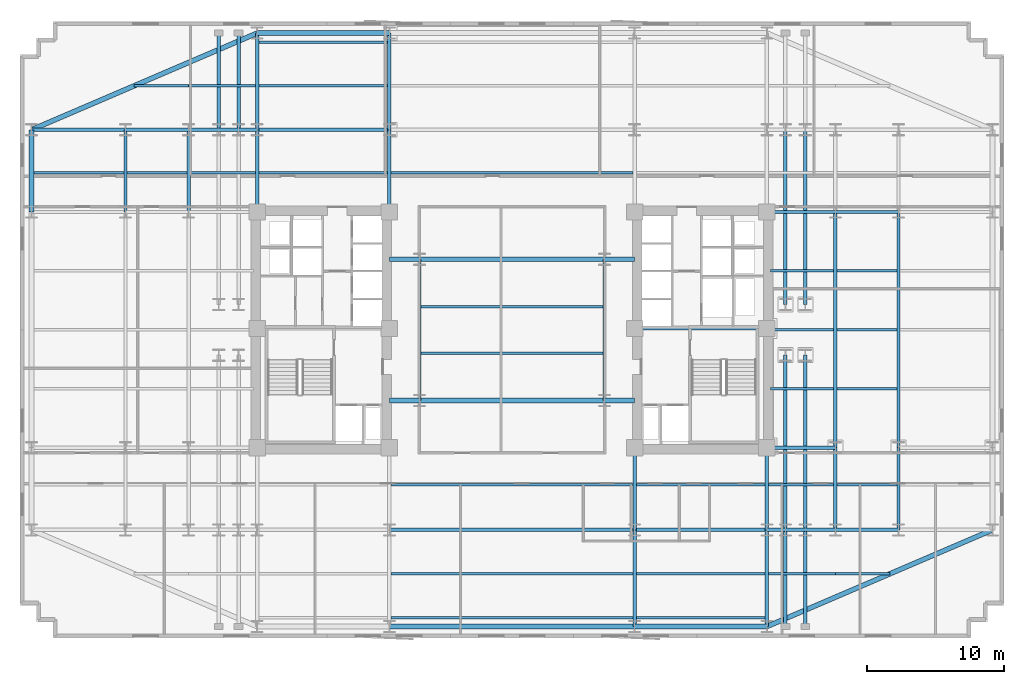
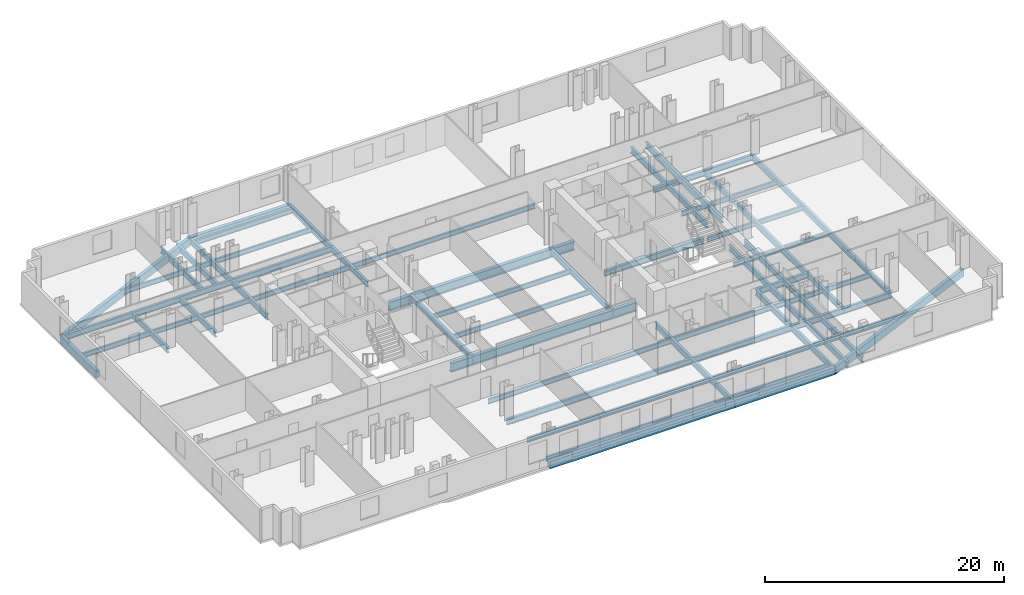
# One storey, part 2 of 10: 75 beams.
"""IFC4 building model written with IfcOpenShell, lengths in metres."""

from ifc_helpers import new_model, si_unit, direction, frame, origin, origin_2d, place, context, subcontext, project, spatial, rectangle, i_section, extrude, material, material_profile, profile_set, type_object, element, save


model = new_model("IFC4")

# Units and contexts
model_context = context("Model", 3, precision=1e-05, world=origin(), true_north=direction((0.0, 1.0)))
body_context = subcontext(model_context, "Body", "Model", "MODEL_VIEW")
ifc_project = project(units=[si_unit("LENGTHUNIT", "METRE"), si_unit("AREAUNIT", "SQUARE_METRE"), si_unit("VOLUMEUNIT", "CUBIC_METRE"), si_unit("PLANEANGLEUNIT", "RADIAN"), si_unit("MASSUNIT", "GRAM", prefix="KILO")], contexts=[model_context])

# Site, building, storey
site_placement = place(None, origin())
site = spatial("IfcSite", under=ifc_project, at=site_placement, CompositionType="ELEMENT")
building_placement = place(site_placement, origin())
building = spatial("IfcBuilding", under=site, at=building_placement, Name="Velakula Bourse", CompositionType="ELEMENT")
storey_placement = place(building_placement, frame((0.0, 0.0, 41.550048828125)))
storey = spatial("IfcBuildingStorey", under=building, at=storey_placement, Name="L10", CompositionType="ELEMENT", Elevation=41.550048828125)

# Beams
ifc_material_1 = material(Name="Steel IS 2062 Grade 350 (E350)", Category="steel")
ifc_material_profile_1 = material_profile(ifc_material_1, i_section(OverallWidth=0.25, OverallDepth=0.60009765625, WebThickness=0.01171875, FlangeThickness=0.023681640625, at=origin_2d()), Name="Steel IS 2062 Grade 350 (E350)")
ifc_profile_set_1 = profile_set([ifc_material_profile_1], Name="Steel IS 2062 Grade 350 (E350)")
beam_type_1 = type_object("IfcBeamType", Name="BM-GRD-600H", PredefinedType="BEAM", material=ifc_profile_set_1)
beam_1_placement = place(storey_placement, frame((8.949951171875, 0.10009765625, -0.47998046875), z_axis=(1.0, 0.0, 0.0), x_axis=(0.0, 1.0, 0.0)))
element("IfcBeam", 1, at=beam_1_placement, inside=storey, type_object=beam_type_1, Name="L10 Primary Backbone Girder CRE-M", PredefinedType="BEAM", context=body_context, shape_type="SweptSolid", body=[
    extrude(i_section(OverallWidth=0.25, OverallDepth=0.60009765625, WebThickness=0.01171875, FlangeThickness=0.023681640625, at=origin_2d()), origin(), (0.0, 0.0, 1.0), 9.650146484375),
])
for number, where, z_axis, x_axis, name in (
    (2, (-6.75, -5.14990234375, -0.47998046875), (0.0, 1.0, 0.0), (-1.0, 0.0, 0.0), "L10 Primary Backbone Girder SPN-W"),
    (3, (6.75, -5.14990234375, -0.47998046875), (0.0, 1.0, 0.0), (-1.0, 0.0, 0.0), "L10 Primary Backbone Girder SPN-E"),
):
    element("IfcBeam", number, at=place(storey_placement, frame(where, z_axis=z_axis, x_axis=x_axis)), inside=storey, type_object=beam_type_1, Name=name, PredefinedType="BEAM", context=body_context, shape_type="SweptSolid", body=[
        extrude(i_section(OverallWidth=0.25, OverallDepth=0.60009765625, WebThickness=0.01171875, FlangeThickness=0.023681640625, at=origin_2d()), origin(), (0.0, 0.0, 1.0), 10.2998046875),
    ])
for number, where, z_axis, x_axis, name in (
    (4, (-18.60009765625, 8.60009765625, -0.47998046875), (0.0, 1.0, 0.0), (-1.0, 0.0, 0.0), "L10 Fulcrum Grid Girder FLC-WN"),
    (5, (-8.949951171875, 8.60009765625, -0.47998046875), (0.0, 1.0, 0.0), (-1.0, 0.0, 0.0), "L10 Fulcrum Grid Girder FLC-WCN"),
    (6, (8.949951171875, -14.60009765625, -0.47998046875), (0.0, 1.0, 0.0), (-1.0, 0.0, 0.0), "L10 Fulcrum Grid Girder FLC-ECS"),
    (7, (18.60009765625, -14.60009765625, -0.47998046875), (0.0, 1.0, 0.0), (-1.0, 0.0, 0.0), "L10 Fulcrum Grid Girder FLC-ES"),
):
    element("IfcBeam", number, at=place(storey_placement, frame(where, z_axis=z_axis, x_axis=x_axis)), inside=storey, type_object=beam_type_1, Name=name, PredefinedType="BEAM", context=body_context, shape_type="SweptSolid", body=[
        extrude(i_section(OverallWidth=0.25, OverallDepth=0.60009765625, WebThickness=0.01171875, FlangeThickness=0.023681640625, at=origin_2d()), origin(), (0.0, 0.0, 1.0), 6.0),
    ])
beam_2_placement = place(storey_placement, frame((-8.949951171875, -14.60009765625, -0.47998046875), z_axis=(1.0, 0.0, 0.0), x_axis=(0.0, 1.0, 0.0)))
element("IfcBeam", 8, at=beam_2_placement, inside=storey, type_object=beam_type_1, Name="L10 Fulcrum Grid Girder FLC-S2", PredefinedType="BEAM", context=body_context, shape_type="SweptSolid", body=[
    extrude(i_section(OverallWidth=0.25, OverallDepth=0.60009765625, WebThickness=0.01171875, FlangeThickness=0.023681640625, at=origin_2d()), origin(), (0.0, 0.0, 1.0), 17.89990234375),
])
for number, where, z_axis, x_axis, name in (
    (9, (8.949951171875, -14.60009765625, -0.47998046875), (1.0, 0.0, 0.0), (0.0, 1.0, 0.0), "L10 Fulcrum Grid Girder FLC-S3"),
    (10, (-18.60009765625, 14.60009765625, -0.47998046875), (1.0, 0.0, 0.0), (0.0, 1.0, 0.0), "L10 Fulcrum Grid Girder FLC-N1"),
):
    element("IfcBeam", number, at=place(storey_placement, frame(where, z_axis=z_axis, x_axis=x_axis)), inside=storey, type_object=beam_type_1, Name=name, PredefinedType="BEAM", context=body_context, shape_type="SweptSolid", body=[
        extrude(i_section(OverallWidth=0.25, OverallDepth=0.60009765625, WebThickness=0.01171875, FlangeThickness=0.023681640625, at=origin_2d()), origin(), (0.0, 0.0, 1.0), 9.650146484375),
    ])
for number, where, z_axis, x_axis, name in (
    (11, (19.949951171875, -14.60009765625, -0.47998046875), (0.0, 1.0, 0.0), (-1.0, 0.0, 0.0), "L10 Fulcrum Grid Girder FLC-PSE1"),
    (12, (19.949951171875, 1.85009765625, -0.47998046875), (0.0, 1.0, 0.0), (-1.0, 0.0, 0.0), "L10 Fulcrum Grid Girder FLC-PNE1"),
    (13, (21.39990234375, -14.60009765625, -0.47998046875), (0.0, 1.0, 0.0), (-1.0, 0.0, 0.0), "L10 Fulcrum Grid Girder FLC-PSE2"),
    (14, (21.39990234375, 1.85009765625, -0.47998046875), (0.0, 1.0, 0.0), (-1.0, 0.0, 0.0), "L10 Fulcrum Grid Girder FLC-PNE2"),
):
    element("IfcBeam", number, at=place(storey_placement, frame(where, z_axis=z_axis, x_axis=x_axis)), inside=storey, type_object=beam_type_1, Name=name, PredefinedType="BEAM", context=body_context, shape_type="SweptSolid", body=[
        extrude(i_section(OverallWidth=0.25, OverallDepth=0.60009765625, WebThickness=0.01171875, FlangeThickness=0.023681640625, at=origin_2d()), origin(), (0.0, 0.0, 1.0), 12.75),
    ])
beam_3_placement = place(storey_placement, frame((-23.60009765625, 14.60009765625, -0.47998046875), z_axis=(1.0, 0.0, 0.0), x_axis=(0.0, 1.0, 0.0)))
element("IfcBeam", 15, at=beam_3_placement, inside=storey, type_object=beam_type_1, Name="L10 Fulcrum Grid Girder MWG-WN2", PredefinedType="BEAM", context=body_context, shape_type="SweptSolid", body=[
    extrude(i_section(OverallWidth=0.25, OverallDepth=0.60009765625, WebThickness=0.01171875, FlangeThickness=0.023681640625, at=origin_2d()), origin(), (0.0, 0.0, 1.0), 5.0),
])
beam_4_placement = place(storey_placement, frame((-23.60009765625, 8.60009765625, -0.47998046875), z_axis=(0.0, 1.0, 0.0), x_axis=(-1.0, 0.0, 0.0)))
element("IfcBeam", 16, at=beam_4_placement, inside=storey, type_object=beam_type_1, Name="L10 Fulcrum Grid Girder MWG-WNS3", PredefinedType="BEAM", context=body_context, shape_type="SweptSolid", body=[
    extrude(i_section(OverallWidth=0.25, OverallDepth=0.60009765625, WebThickness=0.01171875, FlangeThickness=0.023681640625, at=origin_2d()), origin(), (0.0, 0.0, 1.0), 6.0),
])
for number, where, z_axis, x_axis, name in (
    (17, (18.60009765625, -14.60009765625, -0.47998046875), (1.0, 0.0, 0.0), (0.0, 1.0, 0.0), "L10 Fulcrum Grid Girder MWG-ES1"),
    (18, (18.60009765625, -8.60009765625, -0.47998046875), (1.0, 0.0, 0.0), (0.0, 1.0, 0.0), "L10 Fulcrum Grid Girder MWG-ES2"),
    (19, (18.60009765625, 8.60009765625, -0.47998046875), (1.0, 0.0, 0.0), (0.0, 1.0, 0.0), "L10 Fulcrum Grid Girder MWG-EN1"),
):
    element("IfcBeam", number, at=place(storey_placement, frame(where, z_axis=z_axis, x_axis=x_axis)), inside=storey, type_object=beam_type_1, Name=name, PredefinedType="BEAM", context=body_context, shape_type="SweptSolid", body=[
        extrude(i_section(OverallWidth=0.25, OverallDepth=0.60009765625, WebThickness=0.01171875, FlangeThickness=0.023681640625, at=origin_2d()), origin(), (0.0, 0.0, 1.0), 5.0),
    ])
beam_5_placement = place(storey_placement, frame((23.60009765625, -14.60009765625, -0.47998046875), z_axis=(0.0, 1.0, 0.0), x_axis=(-1.0, 0.0, 0.0)))
element("IfcBeam", 20, at=beam_5_placement, inside=storey, type_object=beam_type_1, Name="L10 Fulcrum Grid Girder MWG-ENS1", PredefinedType="BEAM", context=body_context, shape_type="SweptSolid", body=[
    extrude(i_section(OverallWidth=0.25, OverallDepth=0.60009765625, WebThickness=0.01171875, FlangeThickness=0.023681640625, at=origin_2d()), origin(), (0.0, 0.0, 1.0), 6.0),
])
beam_6_placement = place(storey_placement, frame((23.60009765625, -8.60009765625, -0.47998046875), z_axis=(0.0, 1.0, 0.0), x_axis=(-1.0, 0.0, 0.0)))
element("IfcBeam", 21, at=beam_6_placement, inside=storey, type_object=beam_type_1, Name="L10 Fulcrum Grid Girder MWG-ENS2", PredefinedType="BEAM", context=body_context, shape_type="SweptSolid", body=[
    extrude(i_section(OverallWidth=0.25, OverallDepth=0.60009765625, WebThickness=0.01171875, FlangeThickness=0.023681640625, at=origin_2d()), origin(), (0.0, 0.0, 1.0), 17.2001953125),
])
beam_7_placement = place(storey_placement, frame((-28.199951171875, 14.60009765625, -0.47998046875), z_axis=(1.0, 0.0, 0.0), x_axis=(0.0, 1.0, 0.0)))
element("IfcBeam", 22, at=beam_7_placement, inside=storey, type_object=beam_type_1, Name="L10 Fulcrum Grid Girder WNG-WN2", PredefinedType="BEAM", context=body_context, shape_type="SweptSolid", body=[
    extrude(i_section(OverallWidth=0.25, OverallDepth=0.60009765625, WebThickness=0.01171875, FlangeThickness=0.023681640625, at=origin_2d()), origin(), (0.0, 0.0, 1.0), 4.599853515625),
])
beam_8_placement = place(storey_placement, frame((-28.199951171875, 8.60009765625, -0.47998046875), z_axis=(0.0, 1.0, 0.0), x_axis=(-1.0, 0.0, 0.0)))
element("IfcBeam", 23, at=beam_8_placement, inside=storey, type_object=beam_type_1, Name="L10 Fulcrum Grid Girder WNG-WNS3", PredefinedType="BEAM", context=body_context, shape_type="SweptSolid", body=[
    extrude(i_section(OverallWidth=0.25, OverallDepth=0.60009765625, WebThickness=0.01171875, FlangeThickness=0.023681640625, at=origin_2d()), origin(), (0.0, 0.0, 1.0), 6.0),
])
for number, where, z_axis, x_axis, name in (
    (24, (23.60009765625, -14.60009765625, -0.47998046875), (1.0, 0.0, 0.0), (0.0, 1.0, 0.0), "L10 Fulcrum Grid Girder WNG-ES1"),
    (25, (23.60009765625, 8.60009765625, -0.47998046875), (1.0, 0.0, 0.0), (0.0, 1.0, 0.0), "L10 Fulcrum Grid Girder WNG-EN1"),
):
    element("IfcBeam", number, at=place(storey_placement, frame(where, z_axis=z_axis, x_axis=x_axis)), inside=storey, type_object=beam_type_1, Name=name, PredefinedType="BEAM", context=body_context, shape_type="SweptSolid", body=[
        extrude(i_section(OverallWidth=0.25, OverallDepth=0.60009765625, WebThickness=0.01171875, FlangeThickness=0.023681640625, at=origin_2d()), origin(), (0.0, 0.0, 1.0), 4.599853515625),
    ])
beam_9_placement = place(storey_placement, frame((28.199951171875, -14.60009765625, -0.47998046875), z_axis=(0.0, 1.0, 0.0), x_axis=(-1.0, 0.0, 0.0)))
element("IfcBeam", 26, at=beam_9_placement, inside=storey, type_object=beam_type_1, Name="L10 Fulcrum Grid Girder WNG-ENS1", PredefinedType="BEAM", context=body_context, shape_type="SweptSolid", body=[
    extrude(i_section(OverallWidth=0.25, OverallDepth=0.60009765625, WebThickness=0.01171875, FlangeThickness=0.023681640625, at=origin_2d()), origin(), (0.0, 0.0, 1.0), 6.0),
])
beam_10_placement = place(storey_placement, frame((28.199951171875, -8.60009765625, -0.47998046875), z_axis=(0.0, 1.0, 0.0), x_axis=(-1.0, 0.0, 0.0)))
element("IfcBeam", 27, at=beam_10_placement, inside=storey, type_object=beam_type_1, Name="L10 Fulcrum Grid Girder WNG-ENS2", PredefinedType="BEAM", context=body_context, shape_type="SweptSolid", body=[
    extrude(i_section(OverallWidth=0.25, OverallDepth=0.60009765625, WebThickness=0.01171875, FlangeThickness=0.023681640625, at=origin_2d()), origin(), (0.0, 0.0, 1.0), 17.2001953125),
])
for number, where, z_axis, x_axis, name in (
    (28, (8.949951171875, -14.60009765625, -0.47998046875), (0.0, -1.0, 0.0), (1.0, 0.0, 0.0), "L10 Perimeter Tie Girder S3"),
    (29, (18.60009765625, -14.60009765625, -0.47998046875), (0.0, -1.0, 0.0), (1.0, 0.0, 0.0), "L10 Perimeter Tie Girder S4"),
    (30, (-18.60009765625, 14.60009765625, -0.47998046875), (0.0, 1.0, 0.0), (-1.0, 0.0, 0.0), "L10 Perimeter Tie Girder N1"),
    (31, (-8.949951171875, 14.60009765625, -0.47998046875), (0.0, 1.0, 0.0), (-1.0, 0.0, 0.0), "L10 Perimeter Tie Girder N2"),
):
    element("IfcBeam", number, at=place(storey_placement, frame(where, z_axis=z_axis, x_axis=x_axis)), inside=storey, type_object=beam_type_1, Name=name, PredefinedType="BEAM", context=body_context, shape_type="SweptSolid", body=[
        extrude(i_section(OverallWidth=0.25, OverallDepth=0.60009765625, WebThickness=0.01171875, FlangeThickness=0.023681640625, at=origin_2d()), origin(), (0.0, 0.0, 1.0), 7.0498046875),
    ])
beam_11_placement = place(storey_placement, frame((-28.199951171875, 14.60009765625, -0.47998046875), z_axis=(-1.0, 0.0, 0.0), x_axis=(0.0, -1.0, 0.0)))
element("IfcBeam", 32, at=beam_11_placement, inside=storey, type_object=beam_type_1, Name="L10 Perimeter Tie Girder W4", PredefinedType="BEAM", context=body_context, shape_type="SweptSolid", body=[
    extrude(i_section(OverallWidth=0.25, OverallDepth=0.60009765625, WebThickness=0.01171875, FlangeThickness=0.023681640625, at=origin_2d()), origin(), (0.0, 0.0, 1.0), 6.85009765625),
])
for number, where, z_axis, x_axis, name in (
    (33, (19.949951171875, -14.60009765625, -0.47998046875), (0.0, -1.0, 0.0), (1.0, 0.0, 0.0), "L10 Perimeter Tie Girder P03"),
    (34, (21.39990234375, -14.60009765625, -0.47998046875), (0.0, -1.0, 0.0), (1.0, 0.0, 0.0), "L10 Perimeter Tie Girder P04"),
    (35, (-21.39990234375, 14.60009765625, -0.47998046875), (0.0, 1.0, 0.0), (-1.0, 0.0, 0.0), "L10 Perimeter Tie Girder P05"),
    (36, (-19.949951171875, 14.60009765625, -0.47998046875), (0.0, 1.0, 0.0), (-1.0, 0.0, 0.0), "L10 Perimeter Tie Girder P06"),
):
    element("IfcBeam", number, at=place(storey_placement, frame(where, z_axis=z_axis, x_axis=x_axis)), inside=storey, type_object=beam_type_1, Name=name, PredefinedType="BEAM", context=body_context, shape_type="SweptSolid", body=[
        extrude(i_section(OverallWidth=0.25, OverallDepth=0.60009765625, WebThickness=0.01171875, FlangeThickness=0.023681640625, at=origin_2d()), origin(), (0.0, 0.0, 1.0), 7.0498046875),
    ])
ifc_material_profile_2 = material_profile(ifc_material_1, i_section(OverallWidth=0.35009765625, OverallDepth=0.89990234375, WebThickness=0.02001953125, FlangeThickness=0.031982421875, at=origin_2d()), Name="Steel IS 2062 Grade 350 (E350)")
ifc_profile_set_2 = profile_set([ifc_material_profile_2], Name="Steel IS 2062 Grade 350 (E350)")
beam_type_2 = type_object("IfcBeamType", Name="BM-LNK-900", PredefinedType="BEAM", material=ifc_profile_set_2)
beam_12_placement = place(storey_placement, frame((-8.949951171875, -5.14990234375, -0.630126953125), z_axis=(1.0, 0.0, 0.0), x_axis=(0.0, 1.0, 0.0)))
element("IfcBeam", 37, at=beam_12_placement, inside=storey, type_object=beam_type_2, Name="L10 Primary Backbone Girder LNK-S1", PredefinedType="BEAM", context=body_context, shape_type="SweptSolid", body=[
    extrude(i_section(OverallWidth=0.35009765625, OverallDepth=0.89990234375, WebThickness=0.02001953125, FlangeThickness=0.031982421875, at=origin_2d()), origin(), (0.0, 0.0, 1.0), 2.199951171875),
])
beam_13_placement = place(storey_placement, frame((-6.75, -5.14990234375, -0.630126953125), z_axis=(1.0, 0.0, 0.0), x_axis=(0.0, 1.0, 0.0)))
element("IfcBeam", 38, at=beam_13_placement, inside=storey, type_object=beam_type_2, Name="L10 Primary Backbone Girder LNK-S2", PredefinedType="BEAM", context=body_context, shape_type="SweptSolid", body=[
    extrude(i_section(OverallWidth=0.35009765625, OverallDepth=0.89990234375, WebThickness=0.02001953125, FlangeThickness=0.031982421875, at=origin_2d()), origin(), (0.0, 0.0, 1.0), 13.5),
])
for number, where, z_axis, x_axis, name in (
    (39, (6.75, -5.14990234375, -0.630126953125), (1.0, 0.0, 0.0), (0.0, 1.0, 0.0), "L10 Primary Backbone Girder LNK-S3"),
    (40, (-8.949951171875, 5.14990234375, -0.630126953125), (1.0, 0.0, 0.0), (0.0, 1.0, 0.0), "L10 Primary Backbone Girder LNK-N1"),
):
    element("IfcBeam", number, at=place(storey_placement, frame(where, z_axis=z_axis, x_axis=x_axis)), inside=storey, type_object=beam_type_2, Name=name, PredefinedType="BEAM", context=body_context, shape_type="SweptSolid", body=[
        extrude(i_section(OverallWidth=0.35009765625, OverallDepth=0.89990234375, WebThickness=0.02001953125, FlangeThickness=0.031982421875, at=origin_2d()), origin(), (0.0, 0.0, 1.0), 2.199951171875),
    ])
beam_14_placement = place(storey_placement, frame((-6.75, 5.14990234375, -0.630126953125), z_axis=(1.0, 0.0, 0.0), x_axis=(0.0, 1.0, 0.0)))
element("IfcBeam", 41, at=beam_14_placement, inside=storey, type_object=beam_type_2, Name="L10 Primary Backbone Girder LNK-N2", PredefinedType="BEAM", context=body_context, shape_type="SweptSolid", body=[
    extrude(i_section(OverallWidth=0.35009765625, OverallDepth=0.89990234375, WebThickness=0.02001953125, FlangeThickness=0.031982421875, at=origin_2d()), origin(), (0.0, 0.0, 1.0), 13.5),
])
beam_15_placement = place(storey_placement, frame((6.75, 5.14990234375, -0.630126953125), z_axis=(1.0, 0.0, 0.0), x_axis=(0.0, 1.0, 0.0)))
element("IfcBeam", 42, at=beam_15_placement, inside=storey, type_object=beam_type_2, Name="L10 Primary Backbone Girder LNK-N3", PredefinedType="BEAM", context=body_context, shape_type="SweptSolid", body=[
    extrude(i_section(OverallWidth=0.35009765625, OverallDepth=0.89990234375, WebThickness=0.02001953125, FlangeThickness=0.031982421875, at=origin_2d()), origin(), (0.0, 0.0, 1.0), 2.199951171875),
])
ifc_material_profile_3 = material_profile(ifc_material_1, i_section(OverallWidth=0.179931640625, OverallDepth=0.5, WebThickness=0.01025390625, FlangeThickness=0.01708984375, at=origin_2d()), Name="Steel IS 2062 Grade 350 (E350)")
ifc_profile_set_3 = profile_set([ifc_material_profile_3], Name="Steel IS 2062 Grade 350 (E350)")
beam_type_3 = type_object("IfcBeamType", Name="JST-TWR-500", PredefinedType="JOIST", material=ifc_profile_set_3)
beam_16_placement = place(storey_placement, frame((-8.824951171875, -21.0, -0.429931640625), z_axis=(1.0, 0.0, 0.0), x_axis=(0.0, 1.0, 0.0)))
element("IfcBeam", 43, at=beam_16_placement, inside=storey, type_object=beam_type_3, Name="L10 Trading Floor Composite Joist 02", PredefinedType="JOIST", context=body_context, shape_type="SweptSolid", body=[
    extrude(i_section(OverallWidth=0.179931640625, OverallDepth=0.5, WebThickness=0.01025390625, FlangeThickness=0.01708984375, at=origin_2d()), origin(), (0.0, 0.0, 1.0), 17.64990234375),
])
beam_17_placement = place(storey_placement, frame((9.074951171875, -21.0, -0.429931640625), z_axis=(1.0, 0.0, 0.0), x_axis=(0.0, 1.0, 0.0)))
element("IfcBeam", 44, at=beam_17_placement, inside=storey, type_object=beam_type_3, Name="L10 Trading Floor Composite Joist 03", PredefinedType="JOIST", context=body_context, shape_type="SweptSolid", body=[
    extrude(i_section(OverallWidth=0.179931640625, OverallDepth=0.5, WebThickness=0.01025390625, FlangeThickness=0.01708984375, at=origin_2d()), origin(), (0.0, 0.0, 1.0), 9.400146484375),
])
beam_18_placement = place(storey_placement, frame((-8.824951171875, -17.800048828125, -0.429931640625), z_axis=(1.0, 0.0, 0.0), x_axis=(0.0, 1.0, 0.0)))
element("IfcBeam", 45, at=beam_18_placement, inside=storey, type_object=beam_type_3, Name="L10 Trading Floor Composite Joist 07", PredefinedType="JOIST", context=body_context, shape_type="SweptSolid", body=[
    extrude(i_section(OverallWidth=0.179931640625, OverallDepth=0.5, WebThickness=0.01025390625, FlangeThickness=0.01708984375, at=origin_2d()), origin(), (0.0, 0.0, 1.0), 17.64990234375),
])
beam_19_placement = place(storey_placement, frame((9.074951171875, -17.800048828125, -0.429931640625), z_axis=(1.0, 0.0, 0.0), x_axis=(0.0, 1.0, 0.0)))
element("IfcBeam", 46, at=beam_19_placement, inside=storey, type_object=beam_type_3, Name="L10 Trading Floor Composite Joist 08", PredefinedType="JOIST", context=body_context, shape_type="SweptSolid", body=[
    extrude(i_section(OverallWidth=0.179931640625, OverallDepth=0.5, WebThickness=0.01025390625, FlangeThickness=0.01708984375, at=origin_2d()), origin(), (0.0, 0.0, 1.0), 9.400146484375),
])
beam_20_placement = place(storey_placement, frame((18.72509765625, -17.800048828125, -0.429931640625), z_axis=(1.0, 0.0, 0.0), x_axis=(0.0, 1.0, 0.0)))
element("IfcBeam", 47, at=beam_20_placement, inside=storey, type_object=beam_type_3, Name="L10 Trading Floor Composite Joist 09", PredefinedType="JOIST", context=body_context, shape_type="SweptSolid", body=[
    extrude(i_section(OverallWidth=0.179931640625, OverallDepth=0.5, WebThickness=0.01025390625, FlangeThickness=0.01708984375, at=origin_2d()), origin(), (0.0, 0.0, 1.0), 4.875),
])
beam_21_placement = place(storey_placement, frame((23.60009765625, -17.800048828125, -0.429931640625), z_axis=(1.0, 0.0, 0.0), x_axis=(0.0, 1.0, 0.0)))
element("IfcBeam", 48, at=beam_21_placement, inside=storey, type_object=beam_type_3, Name="L10 Trading Floor Composite Joist 10", PredefinedType="JOIST", context=body_context, shape_type="SweptSolid", body=[
    extrude(i_section(OverallWidth=0.179931640625, OverallDepth=0.5, WebThickness=0.01025390625, FlangeThickness=0.01708984375, at=origin_2d()), origin(), (0.0, 0.0, 1.0), 3.983154296875),
])
beam_22_placement = place(storey_placement, frame((-8.824951171875, -11.300048828125, -0.429931640625), z_axis=(1.0, 0.0, 0.0), x_axis=(0.0, 1.0, 0.0)))
element("IfcBeam", 49, at=beam_22_placement, inside=storey, type_object=beam_type_3, Name="L10 Trading Floor Composite Joist 15", PredefinedType="JOIST", context=body_context, shape_type="SweptSolid", body=[
    extrude(i_section(OverallWidth=0.179931640625, OverallDepth=0.5, WebThickness=0.01025390625, FlangeThickness=0.01708984375, at=origin_2d()), origin(), (0.0, 0.0, 1.0), 17.64990234375),
])
beam_23_placement = place(storey_placement, frame((9.074951171875, -11.300048828125, -0.429931640625), z_axis=(1.0, 0.0, 0.0), x_axis=(0.0, 1.0, 0.0)))
element("IfcBeam", 50, at=beam_23_placement, inside=storey, type_object=beam_type_3, Name="L10 Trading Floor Composite Joist 16", PredefinedType="JOIST", context=body_context, shape_type="SweptSolid", body=[
    extrude(i_section(OverallWidth=0.179931640625, OverallDepth=0.5, WebThickness=0.01025390625, FlangeThickness=0.01708984375, at=origin_2d()), origin(), (0.0, 0.0, 1.0), 9.400146484375),
])
beam_24_placement = place(storey_placement, frame((18.72509765625, -11.300048828125, -0.429931640625), z_axis=(1.0, 0.0, 0.0), x_axis=(0.0, 1.0, 0.0)))
element("IfcBeam", 51, at=beam_24_placement, inside=storey, type_object=beam_type_3, Name="L10 Trading Floor Composite Joist 17", PredefinedType="JOIST", context=body_context, shape_type="SweptSolid", body=[
    extrude(i_section(OverallWidth=0.179931640625, OverallDepth=0.5, WebThickness=0.01025390625, FlangeThickness=0.01708984375, at=origin_2d()), origin(), (0.0, 0.0, 1.0), 4.75),
])
beam_25_placement = place(storey_placement, frame((23.72509765625, -11.300048828125, -0.429931640625), z_axis=(1.0, 0.0, 0.0), x_axis=(0.0, 1.0, 0.0)))
element("IfcBeam", 52, at=beam_25_placement, inside=storey, type_object=beam_type_3, Name="L10 Trading Floor Composite Joist 18", PredefinedType="JOIST", context=body_context, shape_type="SweptSolid", body=[
    extrude(i_section(OverallWidth=0.179931640625, OverallDepth=0.5, WebThickness=0.01025390625, FlangeThickness=0.01708984375, at=origin_2d()), origin(), (0.0, 0.0, 1.0), 4.349853515625),
])
beam_26_placement = place(storey_placement, frame((-34.875, 11.449951171875, -0.429931640625), z_axis=(1.0, 0.0, 0.0), x_axis=(0.0, 1.0, 0.0)))
element("IfcBeam", 53, at=beam_26_placement, inside=storey, type_object=beam_type_3, Name="L10 Trading Floor Composite Joist 20", PredefinedType="JOIST", context=body_context, shape_type="SweptSolid", body=[
    extrude(i_section(OverallWidth=0.179931640625, OverallDepth=0.5, WebThickness=0.01025390625, FlangeThickness=0.01708984375, at=origin_2d()), origin(), (0.0, 0.0, 1.0), 6.550048828125),
])
beam_27_placement = place(storey_placement, frame((-28.074951171875, 11.449951171875, -0.429931640625), z_axis=(1.0, 0.0, 0.0), x_axis=(0.0, 1.0, 0.0)))
element("IfcBeam", 54, at=beam_27_placement, inside=storey, type_object=beam_type_3, Name="L10 Trading Floor Composite Joist 21", PredefinedType="JOIST", context=body_context, shape_type="SweptSolid", body=[
    extrude(i_section(OverallWidth=0.179931640625, OverallDepth=0.5, WebThickness=0.01025390625, FlangeThickness=0.01708984375, at=origin_2d()), origin(), (0.0, 0.0, 1.0), 4.349853515625),
])
beam_28_placement = place(storey_placement, frame((-23.47509765625, 11.449951171875, -0.429931640625), z_axis=(1.0, 0.0, 0.0), x_axis=(0.0, 1.0, 0.0)))
element("IfcBeam", 55, at=beam_28_placement, inside=storey, type_object=beam_type_3, Name="L10 Trading Floor Composite Joist 22", PredefinedType="JOIST", context=body_context, shape_type="SweptSolid", body=[
    extrude(i_section(OverallWidth=0.179931640625, OverallDepth=0.5, WebThickness=0.01025390625, FlangeThickness=0.01708984375, at=origin_2d()), origin(), (0.0, 0.0, 1.0), 4.75),
])
beam_29_placement = place(storey_placement, frame((-18.47509765625, 11.449951171875, -0.429931640625), z_axis=(1.0, 0.0, 0.0), x_axis=(0.0, 1.0, 0.0)))
element("IfcBeam", 56, at=beam_29_placement, inside=storey, type_object=beam_type_3, Name="L10 Trading Floor Composite Joist 23", PredefinedType="JOIST", context=body_context, shape_type="SweptSolid", body=[
    extrude(i_section(OverallWidth=0.179931640625, OverallDepth=0.5, WebThickness=0.01025390625, FlangeThickness=0.01708984375, at=origin_2d()), origin(), (0.0, 0.0, 1.0), 9.400146484375),
])
beam_30_placement = place(storey_placement, frame((-8.824951171875, 11.449951171875, -0.429931640625), z_axis=(1.0, 0.0, 0.0), x_axis=(0.0, 1.0, 0.0)))
element("IfcBeam", 57, at=beam_30_placement, inside=storey, type_object=beam_type_3, Name="L10 Trading Floor Composite Joist 24", PredefinedType="JOIST", context=body_context, shape_type="SweptSolid", body=[
    extrude(i_section(OverallWidth=0.179931640625, OverallDepth=0.5, WebThickness=0.01025390625, FlangeThickness=0.01708984375, at=origin_2d()), origin(), (0.0, 0.0, 1.0), 17.64990234375),
])
beam_31_placement = place(storey_placement, frame((-27.583251953125, 17.800048828125, -0.429931640625), z_axis=(1.0, 0.0, 0.0), x_axis=(0.0, 1.0, 0.0)))
element("IfcBeam", 58, at=beam_31_placement, inside=storey, type_object=beam_type_3, Name="L10 Trading Floor Composite Joist 29", PredefinedType="JOIST", context=body_context, shape_type="SweptSolid", body=[
    extrude(i_section(OverallWidth=0.179931640625, OverallDepth=0.5, WebThickness=0.01025390625, FlangeThickness=0.01708984375, at=origin_2d()), origin(), (0.0, 0.0, 1.0), 3.983154296875),
])
beam_32_placement = place(storey_placement, frame((-23.60009765625, 17.800048828125, -0.429931640625), z_axis=(1.0, 0.0, 0.0), x_axis=(0.0, 1.0, 0.0)))
element("IfcBeam", 59, at=beam_32_placement, inside=storey, type_object=beam_type_3, Name="L10 Trading Floor Composite Joist 30", PredefinedType="JOIST", context=body_context, shape_type="SweptSolid", body=[
    extrude(i_section(OverallWidth=0.179931640625, OverallDepth=0.5, WebThickness=0.01025390625, FlangeThickness=0.01708984375, at=origin_2d()), origin(), (0.0, 0.0, 1.0), 4.875),
])
for number, where, z_axis, x_axis, name in (
    (60, (-18.47509765625, 17.800048828125, -0.429931640625), (1.0, 0.0, 0.0), (0.0, 1.0, 0.0), "L10 Trading Floor Composite Joist 31"),
    (61, (-18.47509765625, 21.0, -0.429931640625), (1.0, 0.0, 0.0), (0.0, 1.0, 0.0), "L10 Trading Floor Composite Joist 36"),
):
    element("IfcBeam", number, at=place(storey_placement, frame(where, z_axis=z_axis, x_axis=x_axis)), inside=storey, type_object=beam_type_3, Name=name, PredefinedType="JOIST", context=body_context, shape_type="SweptSolid", body=[
        extrude(i_section(OverallWidth=0.179931640625, OverallDepth=0.5, WebThickness=0.01025390625, FlangeThickness=0.01708984375, at=origin_2d()), origin(), (0.0, 0.0, 1.0), 9.400146484375),
    ])
for number, where, z_axis, x_axis, name in (
    (62, (-6.625, -1.699951171875, -0.429931640625), (1.0, 0.0, 0.0), (0.0, 1.0, 0.0), "L10 Trading Floor Composite Joist 39"),
    (63, (-6.625, 1.699951171875, -0.429931640625), (1.0, 0.0, 0.0), (0.0, 1.0, 0.0), "L10 Trading Floor Composite Joist 40"),
):
    element("IfcBeam", number, at=place(storey_placement, frame(where, z_axis=z_axis, x_axis=x_axis)), inside=storey, type_object=beam_type_3, Name=name, PredefinedType="JOIST", context=body_context, shape_type="SweptSolid", body=[
        extrude(i_section(OverallWidth=0.179931640625, OverallDepth=0.5, WebThickness=0.01025390625, FlangeThickness=0.01708984375, at=origin_2d()), origin(), (0.0, 0.0, 1.0), 13.25),
    ])
beam_33_placement = place(storey_placement, frame((18.85009765625, -4.300048828125, -0.429931640625), z_axis=(1.0, 0.0, 0.0), x_axis=(0.0, 1.0, 0.0)))
element("IfcBeam", 64, at=beam_33_placement, inside=storey, type_object=beam_type_3, Name="L10 Trading Floor Composite Joist 44", PredefinedType="JOIST", context=body_context, shape_type="SweptSolid", body=[
    extrude(i_section(OverallWidth=0.179931640625, OverallDepth=0.5, WebThickness=0.01025390625, FlangeThickness=0.01708984375, at=origin_2d()), origin(), (0.0, 0.0, 1.0), 4.625),
])
beam_34_placement = place(storey_placement, frame((23.72509765625, -4.300048828125, -0.429931640625), z_axis=(1.0, 0.0, 0.0), x_axis=(0.0, 1.0, 0.0)))
element("IfcBeam", 65, at=beam_34_placement, inside=storey, type_object=beam_type_3, Name="L10 Trading Floor Composite Joist 45", PredefinedType="JOIST", context=body_context, shape_type="SweptSolid", body=[
    extrude(i_section(OverallWidth=0.179931640625, OverallDepth=0.5, WebThickness=0.01025390625, FlangeThickness=0.01708984375, at=origin_2d()), origin(), (0.0, 0.0, 1.0), 4.349853515625),
])
beam_35_placement = place(storey_placement, frame((18.85009765625, 0.0, -0.429931640625), z_axis=(1.0, 0.0, 0.0), x_axis=(0.0, 1.0, 0.0)))
element("IfcBeam", 66, at=beam_35_placement, inside=storey, type_object=beam_type_3, Name="L10 Trading Floor Composite Joist 50", PredefinedType="JOIST", context=body_context, shape_type="SweptSolid", body=[
    extrude(i_section(OverallWidth=0.179931640625, OverallDepth=0.5, WebThickness=0.01025390625, FlangeThickness=0.01708984375, at=origin_2d()), origin(), (0.0, 0.0, 1.0), 4.625),
])
beam_36_placement = place(storey_placement, frame((23.72509765625, 0.0, -0.429931640625), z_axis=(1.0, 0.0, 0.0), x_axis=(0.0, 1.0, 0.0)))
element("IfcBeam", 67, at=beam_36_placement, inside=storey, type_object=beam_type_3, Name="L10 Trading Floor Composite Joist 51", PredefinedType="JOIST", context=body_context, shape_type="SweptSolid", body=[
    extrude(i_section(OverallWidth=0.179931640625, OverallDepth=0.5, WebThickness=0.01025390625, FlangeThickness=0.01708984375, at=origin_2d()), origin(), (0.0, 0.0, 1.0), 4.349853515625),
])
beam_37_placement = place(storey_placement, frame((18.85009765625, 4.300048828125, -0.429931640625), z_axis=(1.0, 0.0, 0.0), x_axis=(0.0, 1.0, 0.0)))
element("IfcBeam", 68, at=beam_37_placement, inside=storey, type_object=beam_type_3, Name="L10 Trading Floor Composite Joist 56", PredefinedType="JOIST", context=body_context, shape_type="SweptSolid", body=[
    extrude(i_section(OverallWidth=0.179931640625, OverallDepth=0.5, WebThickness=0.01025390625, FlangeThickness=0.01708984375, at=origin_2d()), origin(), (0.0, 0.0, 1.0), 4.625),
])
beam_38_placement = place(storey_placement, frame((23.72509765625, 4.300048828125, -0.429931640625), z_axis=(1.0, 0.0, 0.0), x_axis=(0.0, 1.0, 0.0)))
element("IfcBeam", 69, at=beam_38_placement, inside=storey, type_object=beam_type_3, Name="L10 Trading Floor Composite Joist 57", PredefinedType="JOIST", context=body_context, shape_type="SweptSolid", body=[
    extrude(i_section(OverallWidth=0.179931640625, OverallDepth=0.5, WebThickness=0.01025390625, FlangeThickness=0.01708984375, at=origin_2d()), origin(), (0.0, 0.0, 1.0), 4.349853515625),
])
ifc_material_2 = material(Name="Precast concrete M45 (fck 45 MPa)", Category="concrete")
ifc_material_profile_4 = material_profile(ifc_material_2, rectangle(XDim=0.35009765625, YDim=0.75, at=origin_2d()), Name="Precast concrete M45 (fck 45 MPa)")
ifc_profile_set_4 = profile_set([ifc_material_profile_4], Name="Precast concrete M45 (fck 45 MPa)")
beam_type_4 = type_object("IfcBeamType", Name="SPN-BRICK-750", PredefinedType="SPANDREL", material=ifc_profile_set_4)
beam_39_placement = place(storey_placement, frame((-8.949951171875, -21.64990234375, -0.554931640625), z_axis=(1.0, 0.0, 0.0), x_axis=(0.0, 1.0, 0.0)))
element("IfcBeam", 70, at=beam_39_placement, inside=storey, type_object=beam_type_4, Name="L10 Brick-Faced Precast Spandrel S2-S3", PredefinedType="SPANDREL", context=body_context, shape_type="SweptSolid", body=[
    extrude(rectangle(XDim=0.35009765625, YDim=0.75, at=origin_2d()), origin(), (0.0, 0.0, 1.0), 17.89990234375),
])
for number, where, z_axis, x_axis, name in (
    (71, (8.949951171875, -21.64990234375, -0.554931640625), (1.0, 0.0, 0.0), (0.0, 1.0, 0.0), "L10 Brick-Faced Precast Spandrel S3-S4"),
    (72, (-18.60009765625, 21.64990234375, -0.554931640625), (1.0, 0.0, 0.0), (0.0, 1.0, 0.0), "L10 Brick-Faced Precast Spandrel N1-N2"),
):
    element("IfcBeam", number, at=place(storey_placement, frame(where, z_axis=z_axis, x_axis=x_axis)), inside=storey, type_object=beam_type_4, Name=name, PredefinedType="SPANDREL", context=body_context, shape_type="SweptSolid", body=[
        extrude(rectangle(XDim=0.35009765625, YDim=0.75, at=origin_2d()), origin(), (0.0, 0.0, 1.0), 9.650146484375),
    ])
beam_40_placement = place(storey_placement, frame((-35.050048828125, 8.60009765625, -0.554931640625), z_axis=(0.0, 1.0, 0.0), x_axis=(-1.0, 0.0, 0.0)))
element("IfcBeam", 73, at=beam_40_placement, inside=storey, type_object=beam_type_4, Name="L10 Brick-Faced Precast Spandrel W3-W4", PredefinedType="SPANDREL", context=body_context, shape_type="SweptSolid", body=[
    extrude(rectangle(XDim=0.35009765625, YDim=0.75, at=origin_2d()), origin(), (0.0, 0.0, 1.0), 6.0),
])
for number, where, z_axis, x_axis, name in (
    (74, (18.60009765625, -21.64990234375, -0.554931640625), (0.919148557947, 0.393911066642, 0.0), (-0.393911066642, 0.919148557947, 0.0), "L10 Brick-Faced Precast Spandrel S4-E1"),
    (75, (-18.60009765625, 21.64990234375, -0.554931640625), (-0.919148557947, -0.393911066642, 0.0), (0.393911066642, -0.919148557947, 0.0), "L10 Brick-Faced Precast Spandrel N1-W4"),
):
    element("IfcBeam", number, at=place(storey_placement, frame(where, z_axis=z_axis, x_axis=x_axis)), inside=storey, type_object=beam_type_4, Name=name, PredefinedType="SPANDREL", context=body_context, shape_type="SweptSolid", body=[
        extrude(rectangle(XDim=0.35009765625, YDim=0.75, at=origin_2d()), origin(), (0.0, 0.0, 1.0), 17.89697265625),
    ])

save(model, "model.ifc")
